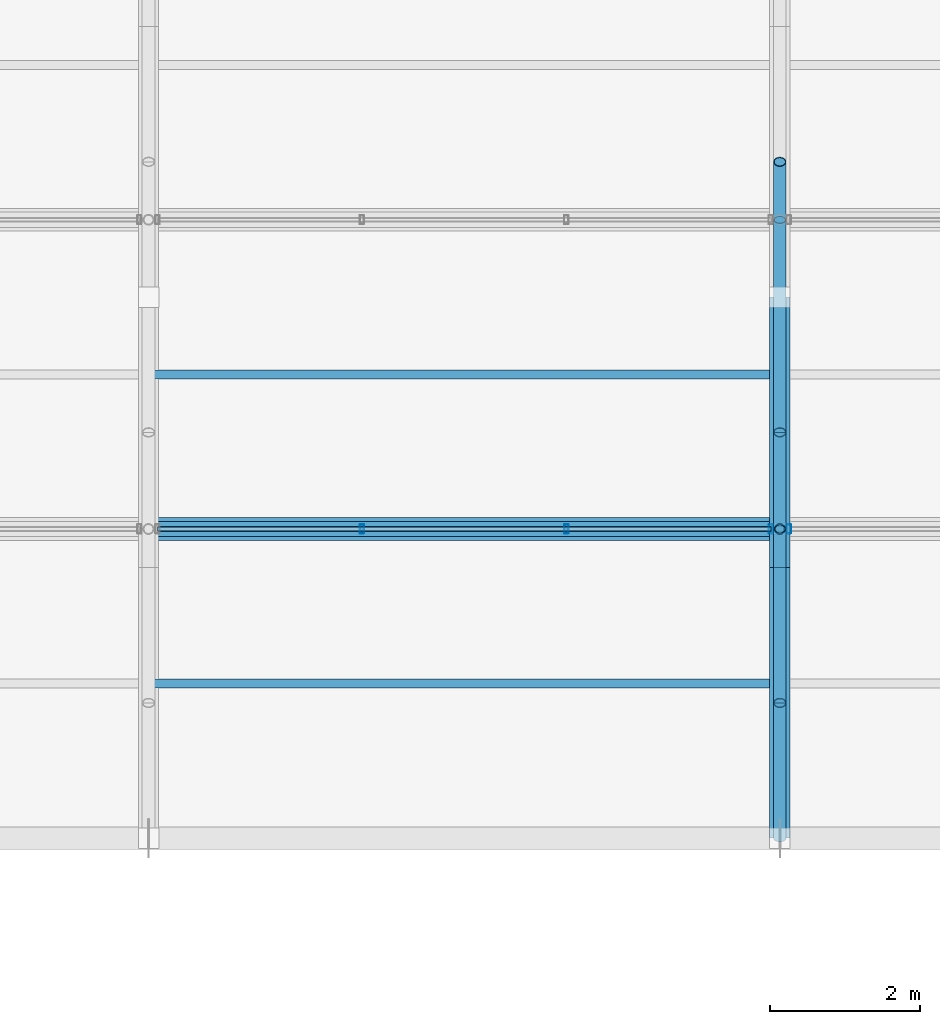
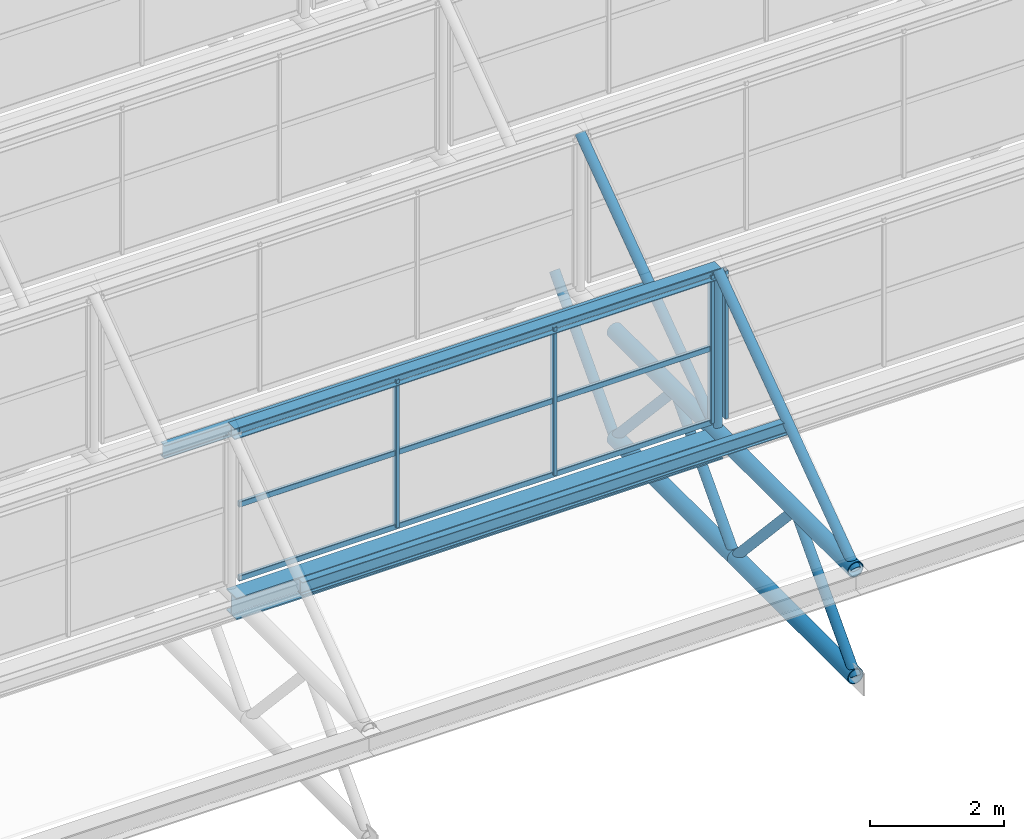
# One storey, part 57 of 134: 19 members, 4 beams, 2 elements without a shape of their own.
"""IFC4 building model written with IfcOpenShell, lengths in metres."""

from ifc_helpers import new_model, si_unit, derived_unit, direction, frame, origin, origin_2d, place, context, subcontext, project, spatial, hollow_rectangle, hollow_circle, i_section, extrude, material, material_profile, profile_set, type_object, element, aggregate, save


model = new_model("IFC4")

# Units and contexts
model_context = context("Model", 3, precision=1e-05, world=origin(), true_north=direction((0.0, 1.0)))
body_context = subcontext(model_context, "Body", "Model", "MODEL_VIEW")
ifc_project = project(units=[si_unit("LENGTHUNIT", "METRE"), si_unit("AREAUNIT", "SQUARE_METRE"), si_unit("VOLUMEUNIT", "CUBIC_METRE"), si_unit("PLANEANGLEUNIT", "RADIAN"), si_unit("MASSUNIT", "GRAM", prefix="KILO"), derived_unit("THERMALTRANSMITTANCEUNIT", [(si_unit("MASSUNIT", "GRAM", prefix="KILO"), 1), (si_unit("TIMEUNIT", "SECOND"), -3), (si_unit("THERMODYNAMICTEMPERATUREUNIT", "KELVIN"), -1)])], contexts=[model_context])

# Site, building, storey
site_placement = place(None, origin())
site = spatial("IfcSite", under=ifc_project, at=site_placement, CompositionType="ELEMENT")
building_placement = place(site_placement, origin())
building = spatial("IfcBuilding", under=site, at=building_placement, Name="Kharveza Railside Sports Centre", CompositionType="ELEMENT")
storey_placement = place(building_placement, frame((0.0, 0.0, 12.89990234375)))
storey = spatial("IfcBuildingStorey", under=building, at=storey_placement, Name="L03", CompositionType="ELEMENT", Elevation=12.89990234375)

# Beams
ifc_material_1 = material(Name="Steel S355J2", Category="steel")
ifc_material_profile_1 = material_profile(ifc_material_1, i_section(OverallWidth=0.300048828125, OverallDepth=0.39990234375, WebThickness=0.013427734375, FlangeThickness=0.02392578125, FilletRadius=0.027099609375, at=origin_2d()), Name="HEB 400")
ifc_profile_set_1 = profile_set([ifc_material_profile_1], Name="Steel S355J2")
beam_type_1 = type_object("IfcBeamType", Name="BM-G07", PredefinedType="T_BEAM", material=ifc_profile_set_1)
beam_1_placement = place(storey_placement, frame((117.60009765625, 83.314208984375, 1.760009765625), z_axis=(1.0, 0.0, 0.0), x_axis=(0.0, 1.0, 0.0)))
element("IfcBeam", 1, at=beam_1_placement, inside=storey, type_object=beam_type_1, Name="BM-V2SAW-VAL-2-4", PredefinedType="T_BEAM", context=body_context, shape_type="SweptSolid", body=[
    extrude(i_section(OverallWidth=0.300048828125, OverallDepth=0.39990234375, WebThickness=0.013427734375, FlangeThickness=0.02392578125, FilletRadius=0.027099609375, at=origin_2d()), origin(), (0.0, 0.0, 1.0), 8.39990234375),
])
ifc_material_2 = material(Name="Steel S275JR", Category="steel")
ifc_material_profile_2 = material_profile(ifc_material_2, i_section(OverallWidth=0.1201171875, OverallDepth=0.239990234375, WebThickness=0.006103515625, FlangeThickness=0.009765625, FilletRadius=0.014892578125, at=origin_2d()), Name="IPE 240")
ifc_profile_set_2 = profile_set([ifc_material_profile_2], Name="Steel S275JR")
beam_type_2 = type_object("IfcBeamType", Name="BM-J01", PredefinedType="JOIST", material=ifc_profile_set_2)
for number, where, z_axis, x_axis, name in (
    (2, (117.60009765625, 81.257080078125, 3.320068359375), (1.0, 0.0, 0.0), (0.0, 1.0, 0.0), "BM-V2SAW-PUR-1-4"),
    (3, (117.60009765625, 85.37158203125, 3.320068359375), (1.0, 0.0, 0.0), (0.0, 1.0, 0.0), "BM-V2SAW-PUR-2-4"),
):
    element("IfcBeam", number, at=place(storey_placement, frame(where, z_axis=z_axis, x_axis=x_axis)), inside=storey, type_object=beam_type_2, Name=name, PredefinedType="JOIST", context=body_context, shape_type="SweptSolid", body=[
        extrude(i_section(OverallWidth=0.1201171875, OverallDepth=0.239990234375, WebThickness=0.006103515625, FlangeThickness=0.009765625, FilletRadius=0.014892578125, at=origin_2d()), origin(), (0.0, 0.0, 1.0), 8.39990234375),
    ])
ifc_material_profile_3 = material_profile(ifc_material_2, i_section(OverallWidth=0.199951171875, OverallDepth=0.199951171875, WebThickness=0.009033203125, FlangeThickness=0.014892578125, FilletRadius=0.01806640625, at=origin_2d()), Name="HEB 200")
ifc_profile_set_3 = profile_set([ifc_material_profile_3], Name="Steel S275JR")
beam_type_3 = type_object("IfcBeamType", Name="BM-J05", PredefinedType="JOIST", material=ifc_profile_set_3)
beam_2_placement = place(storey_placement, frame((117.60009765625, 83.314208984375, 4.920166015625), z_axis=(1.0, 0.0, 0.0), x_axis=(0.0, 1.0, 0.0)))
element("IfcBeam", 4, at=beam_2_placement, inside=storey, type_object=beam_type_3, Name="BM-V2SAW-RDG-1-4", PredefinedType="JOIST", context=body_context, shape_type="SweptSolid", body=[
    extrude(i_section(OverallWidth=0.199951171875, OverallDepth=0.199951171875, WebThickness=0.009033203125, FlangeThickness=0.014892578125, FilletRadius=0.01806640625, at=origin_2d()), origin(), (0.0, 0.0, 1.0), 8.39990234375),
])

# Curtain wall, members
ifc_material_3 = material(Name="Low-E solar-control laminated glass", Category="glass")
curtain_wall_type = type_object("IfcCurtainWallType", Name="CW-NL02", PredefinedType="NOTDEFINED", material=ifc_material_3)
curtain_wall_1_placement = place(storey_placement, origin())
curtain_wall_1 = element("IfcCurtainWall", 5, at=curtain_wall_1_placement, inside=storey, type_object=curtain_wall_type, Name="CW-V2NL-1-4", PredefinedType="NOTDEFINED")
ifc_material_4 = material(Name="Anodised aluminium 6063-T6", Category="aluminium")
ifc_material_profile_4 = material_profile(ifc_material_4, hollow_rectangle(XDim=0.06005859375, YDim=0.1201171875, WallThickness=0.0048828125, InnerFilletRadius=0.0048828125, OuterFilletRadius=0.010009765625, at=origin_2d()), Name="RHS 60x120x5.0")
ifc_profile_set_4 = profile_set([ifc_material_profile_4], Name="Anodised aluminium 6063-T6")
member_type_1 = type_object("IfcMemberType", Name="CW-ML05", PredefinedType="MULLION", material=ifc_profile_set_4)
member_1_placement = place(storey_placement, frame((120.43994140625, 83.314208984375, 2.2001953125), z_axis=(0.0, 0.0, 1.0), x_axis=(1.0, 0.0, 0.0)))
member_1 = element("IfcMember", 6, at=member_1_placement, type_object=member_type_1, Name="CW-V2NL-1-4-ML2", PredefinedType="MULLION", context=body_context, shape_type="SweptSolid", body=[
    extrude(hollow_rectangle(XDim=0.06005859375, YDim=0.1201171875, WallThickness=0.0048828125, InnerFilletRadius=0.0048828125, OuterFilletRadius=0.010009765625, at=origin_2d()), origin(), (0.0, 0.0, 1.0), 2.699951171875),
])
member_2_placement = place(storey_placement, frame((123.159912109375, 83.314208984375, 2.2001953125), z_axis=(0.0, 0.0, 1.0), x_axis=(1.0, 0.0, 0.0)))
member_2 = element("IfcMember", 7, at=member_2_placement, type_object=member_type_1, Name="CW-V2NL-1-4-ML3", PredefinedType="MULLION", context=body_context, shape_type="SweptSolid", body=[
    extrude(hollow_rectangle(XDim=0.06005859375, YDim=0.1201171875, WallThickness=0.0048828125, InnerFilletRadius=0.0048828125, OuterFilletRadius=0.010009765625, at=origin_2d()), origin(), (0.0, 0.0, 1.0), 2.699951171875),
])
member_3_placement = place(storey_placement, frame((125.8798828125, 83.314208984375, 2.2001953125), z_axis=(0.0, 0.0, 1.0), x_axis=(1.0, 0.0, 0.0)))
member_3 = element("IfcMember", 8, at=member_3_placement, type_object=member_type_1, Name="CW-V2NL-1-4-ML4", PredefinedType="MULLION", context=body_context, shape_type="SweptSolid", body=[
    extrude(hollow_rectangle(XDim=0.06005859375, YDim=0.1201171875, WallThickness=0.0048828125, InnerFilletRadius=0.0048828125, OuterFilletRadius=0.010009765625, at=origin_2d()), origin(), (0.0, 0.0, 1.0), 2.699951171875),
])

# Curtain wall, member
curtain_wall_2_placement = place(storey_placement, origin())
curtain_wall_2 = element("IfcCurtainWall", 9, at=curtain_wall_2_placement, inside=storey, type_object=curtain_wall_type, Name="CW-V2NL-1-5", PredefinedType="NOTDEFINED")
member_4_placement = place(storey_placement, frame((126.1201171875, 83.314208984375, 2.2001953125), z_axis=(0.0, 0.0, 1.0), x_axis=(1.0, 0.0, 0.0)))
member_4 = element("IfcMember", 10, at=member_4_placement, type_object=member_type_1, Name="CW-V2NL-1-5-ML1", PredefinedType="MULLION", context=body_context, shape_type="SweptSolid", body=[
    extrude(hollow_rectangle(XDim=0.06005859375, YDim=0.1201171875, WallThickness=0.0048828125, InnerFilletRadius=0.0048828125, OuterFilletRadius=0.010009765625, at=origin_2d()), origin(), (0.0, 0.0, 1.0), 2.699951171875),
])
aggregate(curtain_wall_2, [member_4])

# Member
ifc_material_profile_5 = material_profile(ifc_material_4, hollow_rectangle(XDim=0.06005859375, YDim=0.10009765625, WallThickness=0.00390625, InnerFilletRadius=0.00390625, OuterFilletRadius=0.008056640625, at=origin_2d()), Name="RHS 60x100x4.0")
ifc_profile_set_5 = profile_set([ifc_material_profile_5], Name="Anodised aluminium 6063-T6")
member_type_2 = type_object("IfcMemberType", Name="CW-TR05", PredefinedType="USERDEFINED", material=ifc_profile_set_5)
member_5_placement = place(storey_placement, frame((117.719970703125, 83.314208984375, 2.2001953125), z_axis=(1.0, 0.0, 0.0), x_axis=(0.0, 1.0, 0.0)))
member_5 = element("IfcMember", 11, at=member_5_placement, type_object=member_type_2, Name="CW-V2NL-1-4-TR1", ObjectType="TRANSOM", PredefinedType="USERDEFINED", context=body_context, shape_type="SweptSolid", body=[
    extrude(hollow_rectangle(XDim=0.06005859375, YDim=0.10009765625, WallThickness=0.00390625, InnerFilletRadius=0.00390625, OuterFilletRadius=0.008056640625, at=origin_2d()), origin(), (0.0, 0.0, 1.0), 8.159912109375),
])

member_6_placement = place(storey_placement, frame((117.719970703125, 83.314208984375, 3.550048828125), z_axis=(1.0, 0.0, 0.0), x_axis=(0.0, 1.0, 0.0)))
member_6 = element("IfcMember", 12, at=member_6_placement, type_object=member_type_2, Name="CW-V2NL-1-4-TR2", ObjectType="TRANSOM", PredefinedType="USERDEFINED", context=body_context, shape_type="SweptSolid", body=[
    extrude(hollow_rectangle(XDim=0.06005859375, YDim=0.10009765625, WallThickness=0.00390625, InnerFilletRadius=0.00390625, OuterFilletRadius=0.008056640625, at=origin_2d()), origin(), (0.0, 0.0, 1.0), 8.159912109375),
])

member_7_placement = place(storey_placement, frame((117.719970703125, 83.314208984375, 4.900146484375), z_axis=(1.0, 0.0, 0.0), x_axis=(0.0, 1.0, 0.0)))
member_7 = element("IfcMember", 13, at=member_7_placement, type_object=member_type_2, Name="CW-V2NL-1-4-TR3", ObjectType="TRANSOM", PredefinedType="USERDEFINED", context=body_context, shape_type="SweptSolid", body=[
    extrude(hollow_rectangle(XDim=0.06005859375, YDim=0.10009765625, WallThickness=0.00390625, InnerFilletRadius=0.00390625, OuterFilletRadius=0.008056640625, at=origin_2d()), origin(), (0.0, 0.0, 1.0), 8.159912109375),
])

aggregate(curtain_wall_1, [member_1, member_2, member_3, member_5, member_6, member_7])

# Members
ifc_material_profile_6 = material_profile(ifc_material_1, hollow_circle(Radius=0.136474609375, WallThickness=0.01416015625, at=origin_2d()), Name="CHS 273.0x14.2")
ifc_profile_set_6 = profile_set([ifc_material_profile_6], Name="Steel S355J2")
member_type_3 = type_object("IfcMemberType", Name="MB-CH03", PredefinedType="CHORD", material=ifc_profile_set_6)
for number, where, z_axis, x_axis, name in (
    (14, (126.0, 79.199951171875, 0.0), (0.0, 1.0, 0.0), (-1.0, 0.0, 0.0), "MB-V2TR-BC-5-1"),
    (15, (126.0, 79.199951171875, 1.9501953125), (0.0, 1.0, 0.0), (-1.0, 0.0, 0.0), "MB-V2TR-TC-5-1"),
):
    element("IfcMember", number, at=place(storey_placement, frame(where, z_axis=z_axis, x_axis=x_axis)), inside=storey, type_object=member_type_3, Name=name, PredefinedType="CHORD", context=body_context, shape_type="SweptSolid", body=[
        extrude(hollow_circle(Radius=0.136474609375, WallThickness=0.01416015625, at=origin_2d()), origin(), (0.0, 0.0, 1.0), 3.60009765625),
    ])
for number, where, z_axis, x_axis, name in (
    (16, (126.0, 82.800048828125, 0.0), (0.0, 1.0, 0.0), (-1.0, 0.0, 0.0), "MB-V2TR-BC-5-2"),
    (17, (126.0, 82.800048828125, 1.9501953125), (0.0, 1.0, 0.0), (-1.0, 0.0, 0.0), "MB-V2TR-TC-5-2"),
):
    element("IfcMember", number, at=place(storey_placement, frame(where, z_axis=z_axis, x_axis=x_axis)), inside=storey, type_object=member_type_3, Name=name, PredefinedType="CHORD", context=body_context, shape_type="SweptSolid", body=[
        extrude(hollow_circle(Radius=0.136474609375, WallThickness=0.01416015625, at=origin_2d()), origin(), (0.0, 0.0, 1.0), 3.599853515625),
    ])
ifc_material_profile_7 = material_profile(ifc_material_1, hollow_circle(Radius=0.084228515625, WallThickness=0.010009765625, at=origin_2d()), Name="CHS 168.3x10.0")
ifc_profile_set_7 = profile_set([ifc_material_profile_7], Name="Steel S355J2")
member_type_4 = type_object("IfcMemberType", Name="MB-ST03", PredefinedType="STRUT", material=ifc_profile_set_7)
for number, where, z_axis, x_axis, name in (
    (18, (126.0, 79.199951171875, 0.0), (0.0, 0.67825335715, 0.734828131956), (-1.0, 0.0, 0.0), "MB-V2TR-D1-5-1"),
    (19, (126.0, 81.0, 1.9501953125), (0.0, 0.67825335715, -0.734828131956), (-1.0, 0.0, 0.0), "MB-V2TR-D2-5-1"),
    (20, (126.0, 82.800048828125, 0.0), (0.0, 0.67825335715, 0.734828131956), (-1.0, 0.0, 0.0), "MB-V2TR-D1-5-2"),
):
    element("IfcMember", number, at=place(storey_placement, frame(where, z_axis=z_axis, x_axis=x_axis)), inside=storey, type_object=member_type_4, Name=name, PredefinedType="STRUT", context=body_context, shape_type="SweptSolid", body=[
        extrude(hollow_circle(Radius=0.084228515625, WallThickness=0.010009765625, at=origin_2d()), origin(), (0.0, 0.0, 1.0), 2.654052734375),
    ])
member_8_placement = place(storey_placement, frame((126.0, 84.60009765625, 1.9501953125), z_axis=(0.0, 0.678203679629, -0.734873981671), x_axis=(-1.0, 0.0, 0.0)))
element("IfcMember", 21, at=member_8_placement, inside=storey, type_object=member_type_4, Name="MB-V2TR-D2-5-2", PredefinedType="STRUT", context=body_context, shape_type="SweptSolid", body=[
    extrude(hollow_circle(Radius=0.084228515625, WallThickness=0.010009765625, at=origin_2d()), origin(), (0.0, 0.0, 1.0), 2.65380859375),
])
member_9_placement = place(storey_placement, frame((126.0, 86.39990234375, 0.0), z_axis=(0.0, 0.67825335715, 0.734828131956), x_axis=(-1.0, 0.0, 0.0)))
element("IfcMember", 22, at=member_9_placement, inside=storey, type_object=member_type_4, Name="MB-V2TR-D1-5-3", PredefinedType="STRUT", context=body_context, shape_type="SweptSolid", body=[
    extrude(hollow_circle(Radius=0.084228515625, WallThickness=0.010009765625, at=origin_2d()), origin(), (0.0, 0.0, 1.0), 2.654052734375),
])
member_10_placement = place(storey_placement, frame((126.0, 79.199951171875, 1.9501953125), z_axis=(0.0, 0.810813691418, 0.585304329225), x_axis=(-1.0, 0.0, 0.0)))
element("IfcMember", 23, at=member_10_placement, inside=storey, type_object=member_type_4, Name="MB-V2SAW-RFT-1-5", PredefinedType="STRUT", context=body_context, shape_type="SweptSolid", body=[
    extrude(hollow_circle(Radius=0.084228515625, WallThickness=0.010009765625, at=origin_2d()), origin(), (0.0, 0.0, 1.0), 5.07421875),
])
member_11_placement = place(storey_placement, frame((126.0, 83.314208984375, 1.9501953125), z_axis=(0.0, 0.810830173333, 0.585281496386), x_axis=(-1.0, 0.0, 0.0)))
element("IfcMember", 24, at=member_11_placement, inside=storey, type_object=member_type_4, Name="MB-V2SAW-RFT-2-5", PredefinedType="STRUT", context=body_context, shape_type="SweptSolid", body=[
    extrude(hollow_circle(Radius=0.084228515625, WallThickness=0.010009765625, at=origin_2d()), origin(), (0.0, 0.0, 1.0), 5.074462890625),
])
ifc_material_profile_8 = material_profile(ifc_material_1, hollow_circle(Radius=0.06982421875, WallThickness=0.008056640625, at=origin_2d()), Name="CHS 139.7x8.0")
ifc_profile_set_8 = profile_set([ifc_material_profile_8], Name="Steel S355J2")
member_type_5 = type_object("IfcMemberType", Name="MB-ST04", PredefinedType="STRUT", material=ifc_profile_set_8)
member_12_placement = place(storey_placement, frame((126.0, 83.314208984375, 1.9501953125), z_axis=(0.0, 0.0, 1.0), x_axis=(1.0, 0.0, 0.0)))
element("IfcMember", 25, at=member_12_placement, inside=storey, type_object=member_type_5, Name="MB-V2SAW-PST-1-5", PredefinedType="STRUT", context=body_context, shape_type="SweptSolid", body=[
    extrude(hollow_circle(Radius=0.06982421875, WallThickness=0.008056640625, at=origin_2d()), origin(), (0.0, 0.0, 1.0), 2.969970703125),
])

save(model, "model.ifc")
